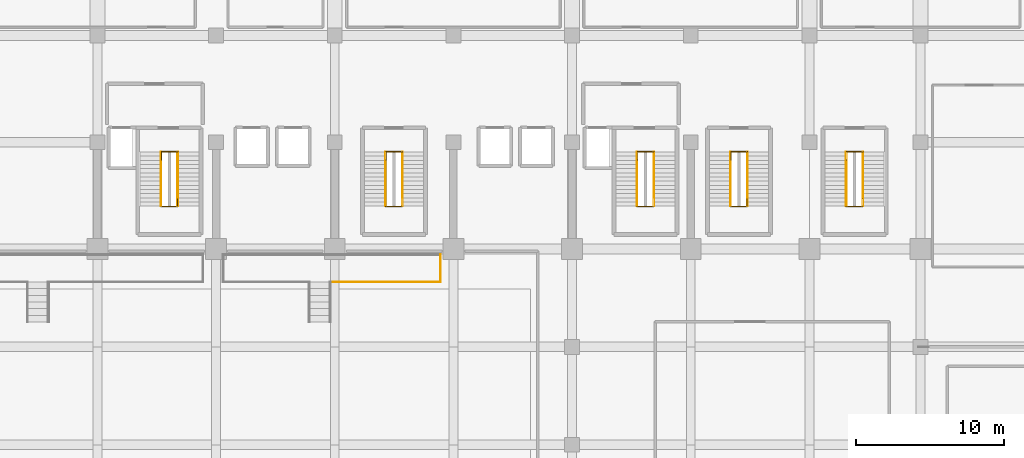
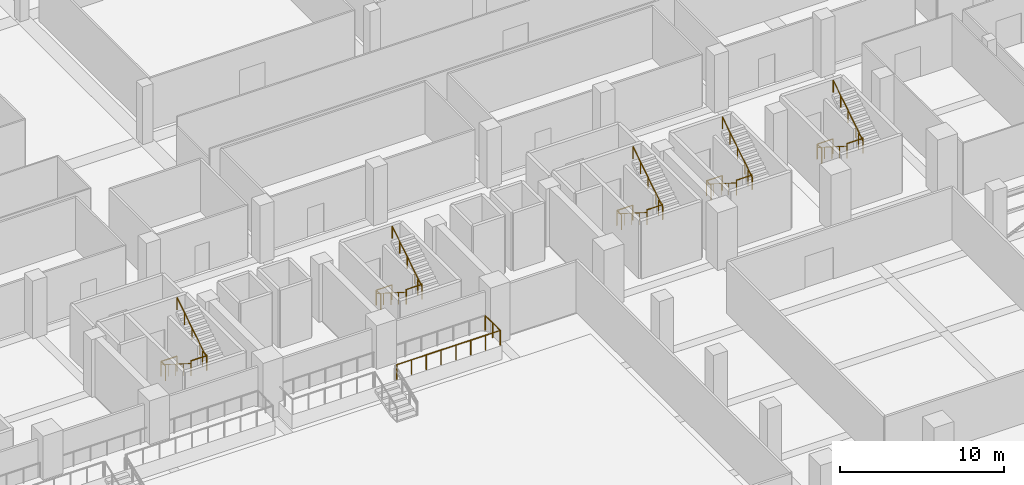
# One storey, part 29 of 33: 22 railings.
"""IFC4 building model written with IfcOpenShell, lengths in metres."""

from ifc_helpers import new_model, si_unit, direction, frame, origin, origin_2d, place, context, subcontext, project, spatial, circle, extrude, material, layer, layer_set, type_object, element, save


model = new_model("IFC4")

# Units and contexts
model_context = context("Model", 3, precision=1e-05, world=origin(), true_north=direction((0.0, 1.0)))
body_context = subcontext(model_context, "Body", "Model", "MODEL_VIEW")
ifc_project = project(units=[si_unit("LENGTHUNIT", "METRE"), si_unit("AREAUNIT", "SQUARE_METRE"), si_unit("VOLUMEUNIT", "CUBIC_METRE"), si_unit("PLANEANGLEUNIT", "RADIAN"), si_unit("MASSUNIT", "GRAM", prefix="KILO")], contexts=[model_context])

# Site, building, storey
site_placement = place(None, origin())
site = spatial("IfcSite", under=ifc_project, at=site_placement, CompositionType="ELEMENT")
building_placement = place(site_placement, origin())
building = spatial("IfcBuilding", under=site, at=building_placement, Name="Akrevak Sports Hall", CompositionType="ELEMENT")
storey_placement = place(building_placement, origin())
storey = spatial("IfcBuildingStorey", under=building, at=storey_placement, Name="L00", CompositionType="ELEMENT", Elevation=0.0)

# Railings
ifc_material_1 = material(Name="Painted Architectural Balustrade Steel", Category="steel")
ifc_layer_1 = layer(ifc_material_1, 0.06005859375, Name="Painted Architectural Balustrade Steel")
ifc_layer_set_1 = layer_set([ifc_layer_1], Name="Painted Architectural Balustrade Steel")
railing_type_1 = type_object("IfcRailingType", Name="ARC-RL-GRD-1120", PredefinedType="GUARDRAIL", material=ifc_layer_set_1)
railing_1_placement = place(storey_placement, frame((64.31005859375, 61.215087890625, 0.0)))
element("IfcRailing", 1, at=railing_1_placement, inside=storey, type_object=railing_type_1, Name="Stair Floor Landing Well Guard ST1 (L00)", PredefinedType="GUARDRAIL", context=body_context, shape_type="SweptSolid", body=[
    extrude(circle(Radius=0.02392578125, at=origin_2d()), frame((0.0, 0.0, 1.09619140625), z_axis=(0.0, 1.0, 0.0), x_axis=(-1.0, 0.0, 0.0)), (0.0, 0.0, 1.0), 0.5498046875),
    extrude(circle(Radius=0.02392578125, at=origin_2d()), frame((0.0, 0.5498046875, 1.09619140625), z_axis=(1.0, 0.0, 0.0), x_axis=(0.0, 1.0, 0.0)), (0.0, 0.0, 1.0), 1.10986328125),
    extrude(circle(Radius=0.02099609375, at=origin_2d()), origin(), (0.0, 0.0, 1.0), 1.072021484375),
    extrude(circle(Radius=0.02099609375, at=origin_2d()), frame((0.0, 0.5498046875, 0.0)), (0.0, 0.0, 1.0), 1.072021484375),
    extrude(circle(Radius=0.02099609375, at=origin_2d()), frame((1.10986328125, 0.5498046875, 0.0)), (0.0, 0.0, 1.0), 1.072021484375),
])
railing_2_placement = place(storey_placement, frame((64.280029296875, 58.06494140625, 2.300048828125)))
element("IfcRailing", 2, at=railing_2_placement, inside=storey, type_object=railing_type_1, Name="Stair Landing Well Guard ST1-L00-1", PredefinedType="GUARDRAIL", context=body_context, shape_type="SweptSolid", body=[
    extrude(circle(Radius=0.02392578125, at=origin_2d()), frame((0.0, 0.0, 1.09619140625), z_axis=(1.0, 0.0, 0.0), x_axis=(0.0, 1.0, 0.0)), (0.0, 0.0, 1.0), 1.10986328125),
    extrude(circle(Radius=0.02392578125, at=origin_2d()), frame((1.10986328125, 0.0, 1.09619140625), z_axis=(0.0, 1.0, 0.0), x_axis=(-1.0, 0.0, 0.0)), (0.0, 0.0, 1.0), 0.52001953125),
    extrude(circle(Radius=0.02099609375, at=origin_2d()), origin(), (0.0, 0.0, 1.0), 1.072021484375),
    extrude(circle(Radius=0.02099609375, at=origin_2d()), frame((1.10986328125, 0.0, 0.0)), (0.0, 0.0, 1.0), 1.072021484375),
    extrude(circle(Radius=0.02099609375, at=origin_2d()), frame((1.10986328125, 0.52001953125, 0.0)), (0.0, 0.0, 1.0), 1.072021484375),
])
railing_3_placement = place(storey_placement, frame((96.409912109375, 61.215087890625, 0.0)))
element("IfcRailing", 3, at=railing_3_placement, inside=storey, type_object=railing_type_1, Name="Stair Floor Landing Well Guard ST2 (L00)", PredefinedType="GUARDRAIL", context=body_context, shape_type="SweptSolid", body=[
    extrude(circle(Radius=0.02392578125, at=origin_2d()), frame((0.0, 0.0, 1.09619140625), z_axis=(0.0, 1.0, 0.0), x_axis=(-1.0, 0.0, 0.0)), (0.0, 0.0, 1.0), 0.5498046875),
    extrude(circle(Radius=0.02392578125, at=origin_2d()), frame((0.0, 0.5498046875, 1.09619140625), z_axis=(1.0, 0.0, 0.0), x_axis=(0.0, 1.0, 0.0)), (0.0, 0.0, 1.0), 1.110107421875),
    extrude(circle(Radius=0.02099609375, at=origin_2d()), origin(), (0.0, 0.0, 1.0), 1.072021484375),
    extrude(circle(Radius=0.02099609375, at=origin_2d()), frame((0.0, 0.5498046875, 0.0)), (0.0, 0.0, 1.0), 1.072021484375),
    extrude(circle(Radius=0.02099609375, at=origin_2d()), frame((1.110107421875, 0.5498046875, 0.0)), (0.0, 0.0, 1.0), 1.072021484375),
])
railing_4_placement = place(storey_placement, frame((96.3798828125, 58.06494140625, 2.300048828125)))
element("IfcRailing", 4, at=railing_4_placement, inside=storey, type_object=railing_type_1, Name="Stair Landing Well Guard ST2-L00-1", PredefinedType="GUARDRAIL", context=body_context, shape_type="SweptSolid", body=[
    extrude(circle(Radius=0.02392578125, at=origin_2d()), frame((0.0, 0.0, 1.09619140625), z_axis=(1.0, 0.0, 0.0), x_axis=(0.0, 1.0, 0.0)), (0.0, 0.0, 1.0), 1.110107421875),
    extrude(circle(Radius=0.02392578125, at=origin_2d()), frame((1.110107421875, 0.0, 1.09619140625), z_axis=(0.0, 1.0, 0.0), x_axis=(-1.0, 0.0, 0.0)), (0.0, 0.0, 1.0), 0.52001953125),
    extrude(circle(Radius=0.02099609375, at=origin_2d()), origin(), (0.0, 0.0, 1.0), 1.072021484375),
    extrude(circle(Radius=0.02099609375, at=origin_2d()), frame((1.110107421875, 0.0, 0.0)), (0.0, 0.0, 1.0), 1.072021484375),
    extrude(circle(Radius=0.02099609375, at=origin_2d()), frame((1.110107421875, 0.52001953125, 0.0)), (0.0, 0.0, 1.0), 1.072021484375),
])
railing_5_placement = place(storey_placement, frame((79.4599609375, 61.215087890625, 0.0)))
element("IfcRailing", 5, at=railing_5_placement, inside=storey, type_object=railing_type_1, Name="Stair Floor Landing Well Guard ST3 (L00)", PredefinedType="GUARDRAIL", context=body_context, shape_type="SweptSolid", body=[
    extrude(circle(Radius=0.02392578125, at=origin_2d()), frame((0.0, 0.0, 1.09619140625), z_axis=(0.0, 1.0, 0.0), x_axis=(-1.0, 0.0, 0.0)), (0.0, 0.0, 1.0), 0.5498046875),
    extrude(circle(Radius=0.02392578125, at=origin_2d()), frame((0.0, 0.5498046875, 1.09619140625), z_axis=(1.0, 0.0, 0.0), x_axis=(0.0, 1.0, 0.0)), (0.0, 0.0, 1.0), 1.110107421875),
    extrude(circle(Radius=0.02099609375, at=origin_2d()), origin(), (0.0, 0.0, 1.0), 1.072021484375),
    extrude(circle(Radius=0.02099609375, at=origin_2d()), frame((0.0, 0.5498046875, 0.0)), (0.0, 0.0, 1.0), 1.072021484375),
    extrude(circle(Radius=0.02099609375, at=origin_2d()), frame((1.110107421875, 0.5498046875, 0.0)), (0.0, 0.0, 1.0), 1.072021484375),
])
railing_6_placement = place(storey_placement, frame((79.429931640625, 58.06494140625, 2.300048828125)))
element("IfcRailing", 6, at=railing_6_placement, inside=storey, type_object=railing_type_1, Name="Stair Landing Well Guard ST3-L00-1", PredefinedType="GUARDRAIL", context=body_context, shape_type="SweptSolid", body=[
    extrude(circle(Radius=0.02392578125, at=origin_2d()), frame((0.0, 0.0, 1.09619140625), z_axis=(1.0, 0.0, 0.0), x_axis=(0.0, 1.0, 0.0)), (0.0, 0.0, 1.0), 1.110107421875),
    extrude(circle(Radius=0.02392578125, at=origin_2d()), frame((1.110107421875, 0.0, 1.09619140625), z_axis=(0.0, 1.0, 0.0), x_axis=(-1.0, 0.0, 0.0)), (0.0, 0.0, 1.0), 0.52001953125),
    extrude(circle(Radius=0.02099609375, at=origin_2d()), origin(), (0.0, 0.0, 1.0), 1.072021484375),
    extrude(circle(Radius=0.02099609375, at=origin_2d()), frame((1.110107421875, 0.0, 0.0)), (0.0, 0.0, 1.0), 1.072021484375),
    extrude(circle(Radius=0.02099609375, at=origin_2d()), frame((1.110107421875, 0.52001953125, 0.0)), (0.0, 0.0, 1.0), 1.072021484375),
])
railing_7_placement = place(storey_placement, frame((102.7099609375, 61.215087890625, 0.0)))
element("IfcRailing", 7, at=railing_7_placement, inside=storey, type_object=railing_type_1, Name="Stair Floor Landing Well Guard ST10 (L00)", PredefinedType="GUARDRAIL", context=body_context, shape_type="SweptSolid", body=[
    extrude(circle(Radius=0.02392578125, at=origin_2d()), frame((0.0, 0.0, 1.09619140625), z_axis=(0.0, 1.0, 0.0), x_axis=(-1.0, 0.0, 0.0)), (0.0, 0.0, 1.0), 0.5498046875),
    extrude(circle(Radius=0.02392578125, at=origin_2d()), frame((0.0, 0.5498046875, 1.09619140625), z_axis=(1.0, 0.0, 0.0), x_axis=(0.0, 1.0, 0.0)), (0.0, 0.0, 1.0), 1.110107421875),
    extrude(circle(Radius=0.02099609375, at=origin_2d()), origin(), (0.0, 0.0, 1.0), 1.072021484375),
    extrude(circle(Radius=0.02099609375, at=origin_2d()), frame((0.0, 0.5498046875, 0.0)), (0.0, 0.0, 1.0), 1.072021484375),
    extrude(circle(Radius=0.02099609375, at=origin_2d()), frame((1.110107421875, 0.5498046875, 0.0)), (0.0, 0.0, 1.0), 1.072021484375),
])
railing_8_placement = place(storey_placement, frame((102.679931640625, 58.06494140625, 2.300048828125)))
element("IfcRailing", 8, at=railing_8_placement, inside=storey, type_object=railing_type_1, Name="Stair Landing Well Guard ST10-L00-1", PredefinedType="GUARDRAIL", context=body_context, shape_type="SweptSolid", body=[
    extrude(circle(Radius=0.02392578125, at=origin_2d()), frame((0.0, 0.0, 1.09619140625), z_axis=(1.0, 0.0, 0.0), x_axis=(0.0, 1.0, 0.0)), (0.0, 0.0, 1.0), 1.110107421875),
    extrude(circle(Radius=0.02392578125, at=origin_2d()), frame((1.110107421875, 0.0, 1.09619140625), z_axis=(0.0, 1.0, 0.0), x_axis=(-1.0, 0.0, 0.0)), (0.0, 0.0, 1.0), 0.52001953125),
    extrude(circle(Radius=0.02099609375, at=origin_2d()), origin(), (0.0, 0.0, 1.0), 1.072021484375),
    extrude(circle(Radius=0.02099609375, at=origin_2d()), frame((1.110107421875, 0.0, 0.0)), (0.0, 0.0, 1.0), 1.072021484375),
    extrude(circle(Radius=0.02099609375, at=origin_2d()), frame((1.110107421875, 0.52001953125, 0.0)), (0.0, 0.0, 1.0), 1.072021484375),
])
railing_9_placement = place(storey_placement, frame((110.510009765625, 61.215087890625, 0.0)))
element("IfcRailing", 9, at=railing_9_placement, inside=storey, type_object=railing_type_1, Name="Stair Floor Landing Well Guard ST11 (L00)", PredefinedType="GUARDRAIL", context=body_context, shape_type="SweptSolid", body=[
    extrude(circle(Radius=0.02392578125, at=origin_2d()), frame((0.0, 0.0, 1.09619140625), z_axis=(0.0, 1.0, 0.0), x_axis=(-1.0, 0.0, 0.0)), (0.0, 0.0, 1.0), 0.5498046875),
    extrude(circle(Radius=0.02392578125, at=origin_2d()), frame((0.0, 0.5498046875, 1.09619140625), z_axis=(1.0, 0.0, 0.0), x_axis=(0.0, 1.0, 0.0)), (0.0, 0.0, 1.0), 1.110107421875),
    extrude(circle(Radius=0.02099609375, at=origin_2d()), origin(), (0.0, 0.0, 1.0), 1.072021484375),
    extrude(circle(Radius=0.02099609375, at=origin_2d()), frame((0.0, 0.5498046875, 0.0)), (0.0, 0.0, 1.0), 1.072021484375),
    extrude(circle(Radius=0.02099609375, at=origin_2d()), frame((1.110107421875, 0.5498046875, 0.0)), (0.0, 0.0, 1.0), 1.072021484375),
])
railing_10_placement = place(storey_placement, frame((110.47998046875, 58.06494140625, 2.300048828125)))
element("IfcRailing", 10, at=railing_10_placement, inside=storey, type_object=railing_type_1, Name="Stair Landing Well Guard ST11-L00-1", PredefinedType="GUARDRAIL", context=body_context, shape_type="SweptSolid", body=[
    extrude(circle(Radius=0.02392578125, at=origin_2d()), frame((0.0, 0.0, 1.09619140625), z_axis=(1.0, 0.0, 0.0), x_axis=(0.0, 1.0, 0.0)), (0.0, 0.0, 1.0), 1.110107421875),
    extrude(circle(Radius=0.02392578125, at=origin_2d()), frame((1.110107421875, 0.0, 1.09619140625), z_axis=(0.0, 1.0, 0.0), x_axis=(-1.0, 0.0, 0.0)), (0.0, 0.0, 1.0), 0.52001953125),
    extrude(circle(Radius=0.02099609375, at=origin_2d()), origin(), (0.0, 0.0, 1.0), 1.072021484375),
    extrude(circle(Radius=0.02099609375, at=origin_2d()), frame((1.110107421875, 0.0, 0.0)), (0.0, 0.0, 1.0), 1.072021484375),
    extrude(circle(Radius=0.02099609375, at=origin_2d()), frame((1.110107421875, 0.52001953125, 0.0)), (0.0, 0.0, 1.0), 1.072021484375),
])
railing_11_placement = place(storey_placement, frame((83.1201171875, 52.97998046875, 1.050048828125)))
element("IfcRailing", 11, at=railing_11_placement, inside=storey, type_object=railing_type_1, Name="Spectator Stand Crowd Barrier HB-N2-E", PredefinedType="GUARDRAIL", context=body_context, shape_type="SweptSolid", body=[
    extrude(circle(Radius=0.02392578125, at=origin_2d()), frame((0.0, 0.0, 1.09619140625), z_axis=(0.0, 1.0, 0.0), x_axis=(-1.0, 0.0, 0.0)), (0.0, 0.0, 1.0), 1.840087890625),
    extrude(circle(Radius=0.02099609375, at=origin_2d()), origin(), (0.0, 0.0, 1.0), 1.072021484375),
    extrude(circle(Radius=0.02099609375, at=origin_2d()), frame((0.0, 0.919921875, 0.0)), (0.0, 0.0, 1.0), 1.072021484375),
    extrude(circle(Radius=0.02099609375, at=origin_2d()), frame((0.0, 1.840087890625, 0.0)), (0.0, 0.0, 1.0), 1.072021484375),
])
railing_12_placement = place(storey_placement, frame((75.830078125, 52.97998046875, 1.050048828125)))
element("IfcRailing", 12, at=railing_12_placement, inside=storey, type_object=railing_type_1, Name="Spectator Stand Crowd Barrier HB-N2-FR-R", PredefinedType="GUARDRAIL", context=body_context, shape_type="SweptSolid", body=[
    extrude(circle(Radius=0.02392578125, at=origin_2d()), frame((0.0, 0.0, 1.09619140625), z_axis=(1.0, 0.0, 0.0), x_axis=(0.0, 1.0, 0.0)), (0.0, 0.0, 1.0), 7.2900390625),
    extrude(circle(Radius=0.02099609375, at=origin_2d()), origin(), (0.0, 0.0, 1.0), 1.072021484375),
    extrude(circle(Radius=0.02099609375, at=origin_2d()), frame((1.04150390625, 0.0, 0.0)), (0.0, 0.0, 1.0), 1.072021484375),
    extrude(circle(Radius=0.02099609375, at=origin_2d()), frame((2.082763671875, 0.0, 0.0)), (0.0, 0.0, 1.0), 1.072021484375),
    extrude(circle(Radius=0.02099609375, at=origin_2d()), frame((3.124267578125, 0.0, 0.0)), (0.0, 0.0, 1.0), 1.072021484375),
    extrude(circle(Radius=0.02099609375, at=origin_2d()), frame((4.165771484375, 0.0, 0.0)), (0.0, 0.0, 1.0), 1.072021484375),
    extrude(circle(Radius=0.02099609375, at=origin_2d()), frame((5.207275390625, 0.0, 0.0)), (0.0, 0.0, 1.0), 1.072021484375),
    extrude(circle(Radius=0.02099609375, at=origin_2d()), frame((6.24853515625, 0.0, 0.0)), (0.0, 0.0, 1.0), 1.072021484375),
    extrude(circle(Radius=0.02099609375, at=origin_2d()), frame((7.2900390625, 0.0, 0.0)), (0.0, 0.0, 1.0), 1.072021484375),
])
ifc_material_2 = material(Name="Brushed Stainless Steel 304", Category="steel")
ifc_layer_2 = layer(ifc_material_2, 0.050048828125, Name="Brushed Stainless Steel 304")
ifc_layer_set_2 = layer_set([ifc_layer_2], Name="Brushed Stainless Steel 304")
railing_type_2 = type_object("IfcRailingType", Name="ARC-RL-HND-900", PredefinedType="HANDRAIL", material=ifc_layer_set_2)
railing_13_placement = place(storey_placement, frame((64.280029296875, 61.735107421875, 0.0)))
element("IfcRailing", 13, at=railing_13_placement, inside=storey, type_object=railing_type_2, Name="Stair Handrail ST1-L00-F1", PredefinedType="HANDRAIL", context=body_context, shape_type="SweptSolid", body=[
    extrude(circle(Radius=0.02392578125, at=origin_2d()), frame((0.0, 0.0, 0.8759765625), z_axis=(0.0, -0.845382449256, 0.534161505998), x_axis=(1.0, 0.0, 0.0)), (0.0, 0.0, 1.0), 4.305908203125),
    extrude(circle(Radius=0.02099609375, at=origin_2d()), origin(), (0.0, 0.0, 1.0), 0.851806640625),
    extrude(circle(Radius=0.02099609375, at=origin_2d()), frame((0.0, -0.91015625, 0.574951171875)), (0.0, 0.0, 1.0), 0.851806640625),
    extrude(circle(Radius=0.02099609375, at=origin_2d()), frame((0.0, -1.820068359375, 1.14990234375)), (0.0, 0.0, 1.0), 0.851806640625),
    extrude(circle(Radius=0.02099609375, at=origin_2d()), frame((0.0, -2.72998046875, 1.72509765625)), (0.0, 0.0, 1.0), 0.851806640625),
    extrude(circle(Radius=0.02099609375, at=origin_2d()), frame((0.0, -3.64013671875, 2.300048828125)), (0.0, 0.0, 1.0), 0.851806640625),
])
railing_14_placement = place(storey_placement, frame((65.419921875, 58.094970703125, 2.300048828125)))
element("IfcRailing", 14, at=railing_14_placement, inside=storey, type_object=railing_type_2, Name="Stair Handrail ST1-L00-F2", PredefinedType="HANDRAIL", context=body_context, shape_type="SweptSolid", body=[
    extrude(circle(Radius=0.02392578125, at=origin_2d()), frame((0.0, 0.0, 0.8759765625), z_axis=(0.0, 0.845382449256, 0.534161505998), x_axis=(-1.0, 0.0, 0.0)), (0.0, 0.0, 1.0), 4.305908203125),
    extrude(circle(Radius=0.02099609375, at=origin_2d()), origin(), (0.0, 0.0, 1.0), 0.851806640625),
    extrude(circle(Radius=0.02099609375, at=origin_2d()), frame((0.0, 0.91015625, 0.574951171875)), (0.0, 0.0, 1.0), 0.851806640625),
    extrude(circle(Radius=0.02099609375, at=origin_2d()), frame((0.0, 1.820068359375, 1.14990234375)), (0.0, 0.0, 1.0), 0.851806640625),
    extrude(circle(Radius=0.02099609375, at=origin_2d()), frame((0.0, 2.72998046875, 1.72509765625)), (0.0, 0.0, 1.0), 0.851806640625),
    extrude(circle(Radius=0.02099609375, at=origin_2d()), frame((0.0, 3.64013671875, 2.300048828125)), (0.0, 0.0, 1.0), 0.851806640625),
])
railing_15_placement = place(storey_placement, frame((96.3798828125, 61.735107421875, 0.0)))
element("IfcRailing", 15, at=railing_15_placement, inside=storey, type_object=railing_type_2, Name="Stair Handrail ST2-L00-F1", PredefinedType="HANDRAIL", context=body_context, shape_type="SweptSolid", body=[
    extrude(circle(Radius=0.02392578125, at=origin_2d()), frame((0.0, 0.0, 0.8759765625), z_axis=(0.0, -0.845382449256, 0.534161505998), x_axis=(1.0, 0.0, 0.0)), (0.0, 0.0, 1.0), 4.305908203125),
    extrude(circle(Radius=0.02099609375, at=origin_2d()), origin(), (0.0, 0.0, 1.0), 0.851806640625),
    extrude(circle(Radius=0.02099609375, at=origin_2d()), frame((0.0, -0.91015625, 0.574951171875)), (0.0, 0.0, 1.0), 0.851806640625),
    extrude(circle(Radius=0.02099609375, at=origin_2d()), frame((0.0, -1.820068359375, 1.14990234375)), (0.0, 0.0, 1.0), 0.851806640625),
    extrude(circle(Radius=0.02099609375, at=origin_2d()), frame((0.0, -2.72998046875, 1.72509765625)), (0.0, 0.0, 1.0), 0.851806640625),
    extrude(circle(Radius=0.02099609375, at=origin_2d()), frame((0.0, -3.64013671875, 2.300048828125)), (0.0, 0.0, 1.0), 0.851806640625),
])
railing_16_placement = place(storey_placement, frame((97.52001953125, 58.094970703125, 2.300048828125)))
element("IfcRailing", 16, at=railing_16_placement, inside=storey, type_object=railing_type_2, Name="Stair Handrail ST2-L00-F2", PredefinedType="HANDRAIL", context=body_context, shape_type="SweptSolid", body=[
    extrude(circle(Radius=0.02392578125, at=origin_2d()), frame((0.0, 0.0, 0.8759765625), z_axis=(0.0, 0.845382449256, 0.534161505998), x_axis=(-1.0, 0.0, 0.0)), (0.0, 0.0, 1.0), 4.305908203125),
    extrude(circle(Radius=0.02099609375, at=origin_2d()), origin(), (0.0, 0.0, 1.0), 0.851806640625),
    extrude(circle(Radius=0.02099609375, at=origin_2d()), frame((0.0, 0.91015625, 0.574951171875)), (0.0, 0.0, 1.0), 0.851806640625),
    extrude(circle(Radius=0.02099609375, at=origin_2d()), frame((0.0, 1.820068359375, 1.14990234375)), (0.0, 0.0, 1.0), 0.851806640625),
    extrude(circle(Radius=0.02099609375, at=origin_2d()), frame((0.0, 2.72998046875, 1.72509765625)), (0.0, 0.0, 1.0), 0.851806640625),
    extrude(circle(Radius=0.02099609375, at=origin_2d()), frame((0.0, 3.64013671875, 2.300048828125)), (0.0, 0.0, 1.0), 0.851806640625),
])
railing_17_placement = place(storey_placement, frame((79.429931640625, 61.735107421875, 0.0)))
element("IfcRailing", 17, at=railing_17_placement, inside=storey, type_object=railing_type_2, Name="Stair Handrail ST3-L00-F1", PredefinedType="HANDRAIL", context=body_context, shape_type="SweptSolid", body=[
    extrude(circle(Radius=0.02392578125, at=origin_2d()), frame((0.0, 0.0, 0.8759765625), z_axis=(0.0, -0.845382449256, 0.534161505998), x_axis=(1.0, 0.0, 0.0)), (0.0, 0.0, 1.0), 4.305908203125),
    extrude(circle(Radius=0.02099609375, at=origin_2d()), origin(), (0.0, 0.0, 1.0), 0.851806640625),
    extrude(circle(Radius=0.02099609375, at=origin_2d()), frame((0.0, -0.91015625, 0.574951171875)), (0.0, 0.0, 1.0), 0.851806640625),
    extrude(circle(Radius=0.02099609375, at=origin_2d()), frame((0.0, -1.820068359375, 1.14990234375)), (0.0, 0.0, 1.0), 0.851806640625),
    extrude(circle(Radius=0.02099609375, at=origin_2d()), frame((0.0, -2.72998046875, 1.72509765625)), (0.0, 0.0, 1.0), 0.851806640625),
    extrude(circle(Radius=0.02099609375, at=origin_2d()), frame((0.0, -3.64013671875, 2.300048828125)), (0.0, 0.0, 1.0), 0.851806640625),
])
railing_18_placement = place(storey_placement, frame((80.570068359375, 58.094970703125, 2.300048828125)))
element("IfcRailing", 18, at=railing_18_placement, inside=storey, type_object=railing_type_2, Name="Stair Handrail ST3-L00-F2", PredefinedType="HANDRAIL", context=body_context, shape_type="SweptSolid", body=[
    extrude(circle(Radius=0.02392578125, at=origin_2d()), frame((0.0, 0.0, 0.8759765625), z_axis=(0.0, 0.845382449256, 0.534161505998), x_axis=(-1.0, 0.0, 0.0)), (0.0, 0.0, 1.0), 4.305908203125),
    extrude(circle(Radius=0.02099609375, at=origin_2d()), origin(), (0.0, 0.0, 1.0), 0.851806640625),
    extrude(circle(Radius=0.02099609375, at=origin_2d()), frame((0.0, 0.91015625, 0.574951171875)), (0.0, 0.0, 1.0), 0.851806640625),
    extrude(circle(Radius=0.02099609375, at=origin_2d()), frame((0.0, 1.820068359375, 1.14990234375)), (0.0, 0.0, 1.0), 0.851806640625),
    extrude(circle(Radius=0.02099609375, at=origin_2d()), frame((0.0, 2.72998046875, 1.72509765625)), (0.0, 0.0, 1.0), 0.851806640625),
    extrude(circle(Radius=0.02099609375, at=origin_2d()), frame((0.0, 3.64013671875, 2.300048828125)), (0.0, 0.0, 1.0), 0.851806640625),
])
railing_19_placement = place(storey_placement, frame((102.679931640625, 61.735107421875, 0.0)))
element("IfcRailing", 19, at=railing_19_placement, inside=storey, type_object=railing_type_2, Name="Stair Handrail ST10-L00-F1", PredefinedType="HANDRAIL", context=body_context, shape_type="SweptSolid", body=[
    extrude(circle(Radius=0.02392578125, at=origin_2d()), frame((0.0, 0.0, 0.8759765625), z_axis=(0.0, -0.845382449256, 0.534161505998), x_axis=(1.0, 0.0, 0.0)), (0.0, 0.0, 1.0), 4.305908203125),
    extrude(circle(Radius=0.02099609375, at=origin_2d()), origin(), (0.0, 0.0, 1.0), 0.851806640625),
    extrude(circle(Radius=0.02099609375, at=origin_2d()), frame((0.0, -0.91015625, 0.574951171875)), (0.0, 0.0, 1.0), 0.851806640625),
    extrude(circle(Radius=0.02099609375, at=origin_2d()), frame((0.0, -1.820068359375, 1.14990234375)), (0.0, 0.0, 1.0), 0.851806640625),
    extrude(circle(Radius=0.02099609375, at=origin_2d()), frame((0.0, -2.72998046875, 1.72509765625)), (0.0, 0.0, 1.0), 0.851806640625),
    extrude(circle(Radius=0.02099609375, at=origin_2d()), frame((0.0, -3.64013671875, 2.300048828125)), (0.0, 0.0, 1.0), 0.851806640625),
])
railing_20_placement = place(storey_placement, frame((103.820068359375, 58.094970703125, 2.300048828125)))
element("IfcRailing", 20, at=railing_20_placement, inside=storey, type_object=railing_type_2, Name="Stair Handrail ST10-L00-F2", PredefinedType="HANDRAIL", context=body_context, shape_type="SweptSolid", body=[
    extrude(circle(Radius=0.02392578125, at=origin_2d()), frame((0.0, 0.0, 0.8759765625), z_axis=(0.0, 0.845382449256, 0.534161505998), x_axis=(-1.0, 0.0, 0.0)), (0.0, 0.0, 1.0), 4.305908203125),
    extrude(circle(Radius=0.02099609375, at=origin_2d()), origin(), (0.0, 0.0, 1.0), 0.851806640625),
    extrude(circle(Radius=0.02099609375, at=origin_2d()), frame((0.0, 0.91015625, 0.574951171875)), (0.0, 0.0, 1.0), 0.851806640625),
    extrude(circle(Radius=0.02099609375, at=origin_2d()), frame((0.0, 1.820068359375, 1.14990234375)), (0.0, 0.0, 1.0), 0.851806640625),
    extrude(circle(Radius=0.02099609375, at=origin_2d()), frame((0.0, 2.72998046875, 1.72509765625)), (0.0, 0.0, 1.0), 0.851806640625),
    extrude(circle(Radius=0.02099609375, at=origin_2d()), frame((0.0, 3.64013671875, 2.300048828125)), (0.0, 0.0, 1.0), 0.851806640625),
])
railing_21_placement = place(storey_placement, frame((110.47998046875, 61.735107421875, 0.0)))
element("IfcRailing", 21, at=railing_21_placement, inside=storey, type_object=railing_type_2, Name="Stair Handrail ST11-L00-F1", PredefinedType="HANDRAIL", context=body_context, shape_type="SweptSolid", body=[
    extrude(circle(Radius=0.02392578125, at=origin_2d()), frame((0.0, 0.0, 0.8759765625), z_axis=(0.0, -0.845382449256, 0.534161505998), x_axis=(1.0, 0.0, 0.0)), (0.0, 0.0, 1.0), 4.305908203125),
    extrude(circle(Radius=0.02099609375, at=origin_2d()), origin(), (0.0, 0.0, 1.0), 0.851806640625),
    extrude(circle(Radius=0.02099609375, at=origin_2d()), frame((0.0, -0.91015625, 0.574951171875)), (0.0, 0.0, 1.0), 0.851806640625),
    extrude(circle(Radius=0.02099609375, at=origin_2d()), frame((0.0, -1.820068359375, 1.14990234375)), (0.0, 0.0, 1.0), 0.851806640625),
    extrude(circle(Radius=0.02099609375, at=origin_2d()), frame((0.0, -2.72998046875, 1.72509765625)), (0.0, 0.0, 1.0), 0.851806640625),
    extrude(circle(Radius=0.02099609375, at=origin_2d()), frame((0.0, -3.64013671875, 2.300048828125)), (0.0, 0.0, 1.0), 0.851806640625),
])
railing_22_placement = place(storey_placement, frame((111.6201171875, 58.094970703125, 2.300048828125)))
element("IfcRailing", 22, at=railing_22_placement, inside=storey, type_object=railing_type_2, Name="Stair Handrail ST11-L00-F2", PredefinedType="HANDRAIL", context=body_context, shape_type="SweptSolid", body=[
    extrude(circle(Radius=0.02392578125, at=origin_2d()), frame((0.0, 0.0, 0.8759765625), z_axis=(0.0, 0.845382449256, 0.534161505998), x_axis=(-1.0, 0.0, 0.0)), (0.0, 0.0, 1.0), 4.305908203125),
    extrude(circle(Radius=0.02099609375, at=origin_2d()), origin(), (0.0, 0.0, 1.0), 0.851806640625),
    extrude(circle(Radius=0.02099609375, at=origin_2d()), frame((0.0, 0.91015625, 0.574951171875)), (0.0, 0.0, 1.0), 0.851806640625),
    extrude(circle(Radius=0.02099609375, at=origin_2d()), frame((0.0, 1.820068359375, 1.14990234375)), (0.0, 0.0, 1.0), 0.851806640625),
    extrude(circle(Radius=0.02099609375, at=origin_2d()), frame((0.0, 2.72998046875, 1.72509765625)), (0.0, 0.0, 1.0), 0.851806640625),
    extrude(circle(Radius=0.02099609375, at=origin_2d()), frame((0.0, 3.64013671875, 2.300048828125)), (0.0, 0.0, 1.0), 0.851806640625),
])

save(model, "model.ifc")
